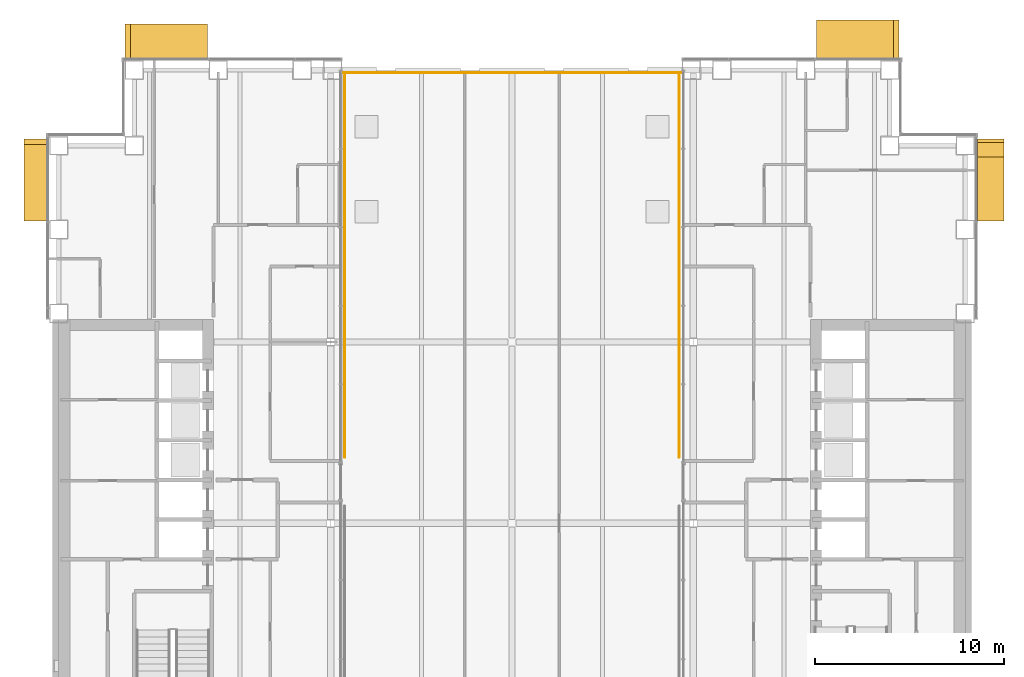
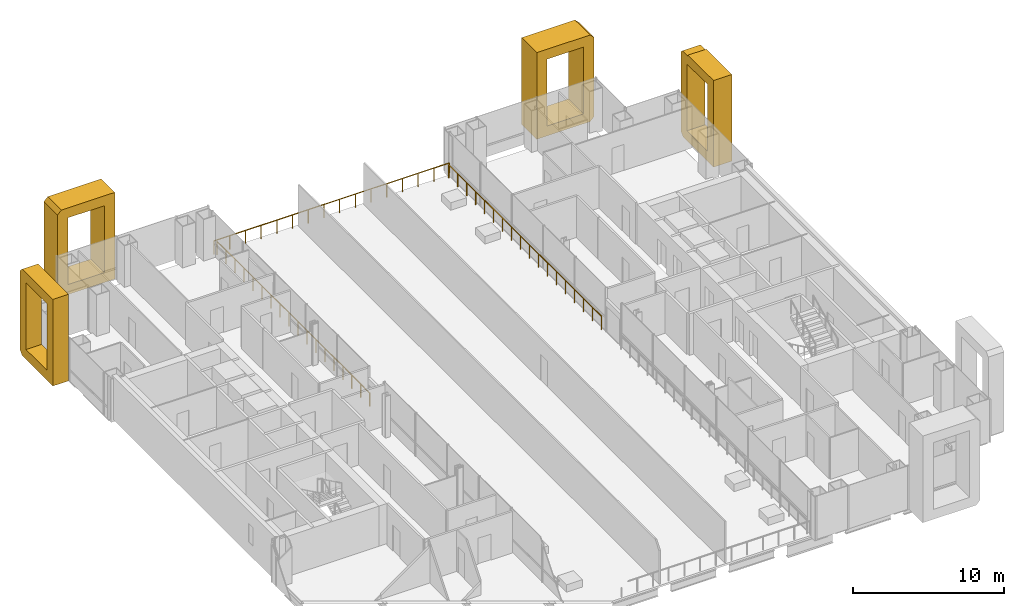
# One storey, part 23 of 24: 4 coverings, 3 railings.
"""IFC4 building model written with IfcOpenShell, lengths in metres."""

from ifc_helpers import new_model, si_unit, direction, frame, origin, origin_2d, place, context, subcontext, project, spatial, polyline, circle, outline, extrude, material, type_object, element, save


model = new_model("IFC4")

# Units and contexts
model_context = context("Model", 3, precision=1e-05, world=origin(), true_north=direction((0.0, 1.0)))
body_context = subcontext(model_context, "Body", "Model", "MODEL_VIEW")
ifc_project = project(units=[si_unit("LENGTHUNIT", "METRE"), si_unit("AREAUNIT", "SQUARE_METRE"), si_unit("VOLUMEUNIT", "CUBIC_METRE"), si_unit("PLANEANGLEUNIT", "RADIAN"), si_unit("MASSUNIT", "GRAM", prefix="KILO")], contexts=[model_context])

# Site, building, storey
site_placement = place(None, origin())
site = spatial("IfcSite", under=ifc_project, at=site_placement, CompositionType="ELEMENT")
building_placement = place(site_placement, origin())
building = spatial("IfcBuilding", under=site, at=building_placement, Name="Cobrizo Arcos Hotel Tower", CompositionType="ELEMENT")
storey_placement = place(building_placement, frame((0.0, 0.0, 60.0)))
storey = spatial("IfcBuildingStorey", under=building, at=storey_placement, Name="L13", CompositionType="ELEMENT", Elevation=60.0)

# Coverings
ifc_material_1 = material(Name="Aluminium 6063-T6 anodised bronze", Category="aluminium")
covering_type_1 = type_object("IfcCoveringType", Name="FIN-F 1200", PredefinedType="CLADDING", material=ifc_material_1)
covering_1_placement = place(storey_placement, frame((-24.64990234375, 20.35009765625, 0.0), z_axis=(-1.0, 0.0, 0.0), x_axis=(0.0, -1.0, 0.0)))
element("IfcCovering", 1, at=covering_1_placement, inside=storey, type_object=covering_type_1, Name="Fin frame 75", PredefinedType="CLADDING", context=body_context, shape_type="SweptSolid", body=[
    extrude(outline(polyline([(0.0, 0.300048828125), (0.300048828125, 0.0), (4.341796875, 0.0), (4.341796875, 7.0), (0.300048828125, 7.0), (0.0, 6.699951171875), (0.0, 0.300048828125)]), holes=[polyline([(3.541748046875, 0.800048828125), (0.800048828125, 0.800048828125), (0.800048828125, 6.199951171875), (3.541748046875, 6.199951171875), (3.541748046875, 0.800048828125)])]), origin(), (0.0, 0.0, 1.0), 1.2001953125),
])
covering_type_2 = type_object("IfcCoveringType", Name="FIN-F 1400", PredefinedType="CLADDING", material=ifc_material_1)
covering_2_placement = place(storey_placement, frame((24.64990234375, 16.00830078125, 0.0), z_axis=(1.0, 0.0, 0.0), x_axis=(0.0, 1.0, 0.0)))
element("IfcCovering", 2, at=covering_2_placement, inside=storey, type_object=covering_type_2, Name="Fin frame 34", PredefinedType="CLADDING", context=body_context, shape_type="SweptSolid", body=[
    extrude(outline(polyline([(4.341796875, 6.699951171875), (4.143798828125, 6.89794921875), (3.3896484375, 6.89794921875), (3.3896484375, 7.0), (0.0, 7.0), (0.0, 0.0), (4.041748046875, 0.0), (4.341796875, 0.300048828125), (4.341796875, 6.699951171875)]), holes=[polyline([(3.541748046875, 0.800048828125), (0.800048828125, 0.800048828125), (0.800048828125, 6.199951171875), (3.541748046875, 6.199951171875), (3.541748046875, 0.800048828125)])]), origin(), (0.0, 0.0, 1.0), 1.400146484375),
])
covering_type_3 = type_object("IfcCoveringType", Name="FIN-F 1800", PredefinedType="CLADDING", material=ifc_material_1)
covering_3_placement = place(storey_placement, frame((-16.125, 24.64990234375, 0.0), z_axis=(0.0, 1.0, 0.0), x_axis=(-1.0, 0.0, 0.0)))
element("IfcCovering", 3, at=covering_3_placement, inside=storey, type_object=covering_type_3, Name="Fin frame 14", PredefinedType="CLADDING", context=body_context, shape_type="SweptSolid", body=[
    extrude(outline(polyline([(0.0, 7.0), (0.0, 0.0), (4.074951171875, 0.0), (4.375, 0.300048828125), (4.375, 6.699951171875), (4.074951171875, 7.0), (0.0, 7.0)]), holes=[polyline([(3.574951171875, 0.800048828125), (0.800048828125, 0.800048828125), (0.800048828125, 6.199951171875), (3.574951171875, 6.199951171875), (3.574951171875, 0.800048828125)])]), origin(), (0.0, 0.0, 1.0), 1.800048828125),
])
covering_type_4 = type_object("IfcCoveringType", Name="FIN-F 2000", PredefinedType="CLADDING", material=ifc_material_1)
covering_4_placement = place(storey_placement, frame((20.5, 24.64990234375, 0.0), z_axis=(0.0, 1.0, 0.0), x_axis=(-1.0, 0.0, 0.0)))
element("IfcCovering", 4, at=covering_4_placement, inside=storey, type_object=covering_type_4, Name="Fin frame 13", PredefinedType="CLADDING", context=body_context, shape_type="SweptSolid", body=[
    extrude(outline(polyline([(0.0, 0.300048828125), (0.300048828125, 0.0), (4.375, 0.0), (4.375, 7.0), (0.300048828125, 7.0), (0.0, 6.699951171875), (0.0, 0.300048828125)]), holes=[polyline([(3.574951171875, 0.800048828125), (0.800048828125, 0.800048828125), (0.800048828125, 6.199951171875), (3.574951171875, 6.199951171875), (3.574951171875, 0.800048828125)])]), origin(), (0.0, 0.0, 1.0), 2.0),
])

# Railings
ifc_material_2 = material(Name="Stainless steel railing", Category="steel")
railing_type = type_object("IfcRailingType", Name="Garden deck guard 1100", PredefinedType="GUARDRAIL", material=ifc_material_2)
railing_1_placement = place(storey_placement, frame((-9.0, 23.85009765625, 0.0)))
element("IfcRailing", 5, at=railing_1_placement, inside=storey, type_object=railing_type, Name="Garden deck north guard", PredefinedType="GUARDRAIL", context=body_context, shape_type="SweptSolid", body=[
    extrude(circle(Radius=0.02392578125, at=origin_2d()), frame((0.0, 0.0, 1.076171875), z_axis=(1.0, 0.0, 0.0), x_axis=(0.0, 1.0, 0.0)), (0.0, 0.0, 1.0), 18.0),
    extrude(circle(Radius=0.02099609375, at=origin_2d()), origin(), (0.0, 0.0, 1.0), 1.052001953125),
    extrude(circle(Radius=0.02099609375, at=origin_2d()), frame((1.199951171875, 0.0, 0.0)), (0.0, 0.0, 1.0), 1.052001953125),
    extrude(circle(Radius=0.02099609375, at=origin_2d()), frame((2.39990234375, 0.0, 0.0)), (0.0, 0.0, 1.0), 1.052001953125),
    extrude(circle(Radius=0.02099609375, at=origin_2d()), frame((3.60009765625, 0.0, 0.0)), (0.0, 0.0, 1.0), 1.052001953125),
    extrude(circle(Radius=0.02099609375, at=origin_2d()), frame((4.800048828125, 0.0, 0.0)), (0.0, 0.0, 1.0), 1.052001953125),
    extrude(circle(Radius=0.02099609375, at=origin_2d()), frame((6.0, 0.0, 0.0)), (0.0, 0.0, 1.0), 1.052001953125),
    extrude(circle(Radius=0.02099609375, at=origin_2d()), frame((7.199951171875, 0.0, 0.0)), (0.0, 0.0, 1.0), 1.052001953125),
    extrude(circle(Radius=0.02099609375, at=origin_2d()), frame((8.39990234375, 0.0, 0.0)), (0.0, 0.0, 1.0), 1.052001953125),
    extrude(circle(Radius=0.02099609375, at=origin_2d()), frame((9.60009765625, 0.0, 0.0)), (0.0, 0.0, 1.0), 1.052001953125),
    extrude(circle(Radius=0.02099609375, at=origin_2d()), frame((10.800048828125, 0.0, 0.0)), (0.0, 0.0, 1.0), 1.052001953125),
    extrude(circle(Radius=0.02099609375, at=origin_2d()), frame((12.0, 0.0, 0.0)), (0.0, 0.0, 1.0), 1.052001953125),
    extrude(circle(Radius=0.02099609375, at=origin_2d()), frame((13.199951171875, 0.0, 0.0)), (0.0, 0.0, 1.0), 1.052001953125),
    extrude(circle(Radius=0.02099609375, at=origin_2d()), frame((14.39990234375, 0.0, 0.0)), (0.0, 0.0, 1.0), 1.052001953125),
    extrude(circle(Radius=0.02099609375, at=origin_2d()), frame((15.60009765625, 0.0, 0.0)), (0.0, 0.0, 1.0), 1.052001953125),
    extrude(circle(Radius=0.02099609375, at=origin_2d()), frame((16.800048828125, 0.0, 0.0)), (0.0, 0.0, 1.0), 1.052001953125),
    extrude(circle(Radius=0.02099609375, at=origin_2d()), frame((18.0, 0.0, 0.0)), (0.0, 0.0, 1.0), 1.052001953125),
])
railing_2_placement = place(storey_placement, frame((8.85009765625, 3.5, 0.0)))
element("IfcRailing", 6, at=railing_2_placement, inside=storey, type_object=railing_type, Name="Garden deck east guard", PredefinedType="GUARDRAIL", context=body_context, shape_type="SweptSolid", body=[
    extrude(circle(Radius=0.02392578125, at=origin_2d()), frame((0.0, 0.0, 1.076171875), z_axis=(0.0, 1.0, 0.0), x_axis=(-1.0, 0.0, 0.0)), (0.0, 0.0, 1.0), 20.199951171875),
    extrude(circle(Radius=0.02099609375, at=origin_2d()), origin(), (0.0, 0.0, 1.0), 1.052001953125),
    extrude(circle(Radius=0.02099609375, at=origin_2d()), frame((0.0, 1.188232421875, 0.0)), (0.0, 0.0, 1.0), 1.052001953125),
    extrude(circle(Radius=0.02099609375, at=origin_2d()), frame((0.0, 2.37646484375, 0.0)), (0.0, 0.0, 1.0), 1.052001953125),
    extrude(circle(Radius=0.02099609375, at=origin_2d()), frame((0.0, 3.564697265625, 0.0)), (0.0, 0.0, 1.0), 1.052001953125),
    extrude(circle(Radius=0.02099609375, at=origin_2d()), frame((0.0, 4.7529296875, 0.0)), (0.0, 0.0, 1.0), 1.052001953125),
    extrude(circle(Radius=0.02099609375, at=origin_2d()), frame((0.0, 5.941162109375, 0.0)), (0.0, 0.0, 1.0), 1.052001953125),
    extrude(circle(Radius=0.02099609375, at=origin_2d()), frame((0.0, 7.12939453125, 0.0)), (0.0, 0.0, 1.0), 1.052001953125),
    extrude(circle(Radius=0.02099609375, at=origin_2d()), frame((0.0, 8.317626953125, 0.0)), (0.0, 0.0, 1.0), 1.052001953125),
    extrude(circle(Radius=0.02099609375, at=origin_2d()), frame((0.0, 9.505859375, 0.0)), (0.0, 0.0, 1.0), 1.052001953125),
    extrude(circle(Radius=0.02099609375, at=origin_2d()), frame((0.0, 10.694091796875, 0.0)), (0.0, 0.0, 1.0), 1.052001953125),
    extrude(circle(Radius=0.02099609375, at=origin_2d()), frame((0.0, 11.88232421875, 0.0)), (0.0, 0.0, 1.0), 1.052001953125),
    extrude(circle(Radius=0.02099609375, at=origin_2d()), frame((0.0, 13.070556640625, 0.0)), (0.0, 0.0, 1.0), 1.052001953125),
    extrude(circle(Radius=0.02099609375, at=origin_2d()), frame((0.0, 14.2587890625, 0.0)), (0.0, 0.0, 1.0), 1.052001953125),
    extrude(circle(Radius=0.02099609375, at=origin_2d()), frame((0.0, 15.447021484375, 0.0)), (0.0, 0.0, 1.0), 1.052001953125),
    extrude(circle(Radius=0.02099609375, at=origin_2d()), frame((0.0, 16.63525390625, 0.0)), (0.0, 0.0, 1.0), 1.052001953125),
    extrude(circle(Radius=0.02099609375, at=origin_2d()), frame((0.0, 17.823486328125, 0.0)), (0.0, 0.0, 1.0), 1.052001953125),
    extrude(circle(Radius=0.02099609375, at=origin_2d()), frame((0.0, 19.01171875, 0.0)), (0.0, 0.0, 1.0), 1.052001953125),
    extrude(circle(Radius=0.02099609375, at=origin_2d()), frame((0.0, 20.199951171875, 0.0)), (0.0, 0.0, 1.0), 1.052001953125),
])
railing_3_placement = place(storey_placement, frame((-8.85009765625, 3.5, 0.0)))
element("IfcRailing", 7, at=railing_3_placement, inside=storey, type_object=railing_type, Name="Garden deck west guard", PredefinedType="GUARDRAIL", context=body_context, shape_type="SweptSolid", body=[
    extrude(circle(Radius=0.02392578125, at=origin_2d()), frame((0.0, 0.0, 1.076171875), z_axis=(0.0, 1.0, 0.0), x_axis=(-1.0, 0.0, 0.0)), (0.0, 0.0, 1.0), 20.199951171875),
    extrude(circle(Radius=0.02099609375, at=origin_2d()), origin(), (0.0, 0.0, 1.0), 1.052001953125),
    extrude(circle(Radius=0.02099609375, at=origin_2d()), frame((0.0, 1.188232421875, 0.0)), (0.0, 0.0, 1.0), 1.052001953125),
    extrude(circle(Radius=0.02099609375, at=origin_2d()), frame((0.0, 2.37646484375, 0.0)), (0.0, 0.0, 1.0), 1.052001953125),
    extrude(circle(Radius=0.02099609375, at=origin_2d()), frame((0.0, 3.564697265625, 0.0)), (0.0, 0.0, 1.0), 1.052001953125),
    extrude(circle(Radius=0.02099609375, at=origin_2d()), frame((0.0, 4.7529296875, 0.0)), (0.0, 0.0, 1.0), 1.052001953125),
    extrude(circle(Radius=0.02099609375, at=origin_2d()), frame((0.0, 5.941162109375, 0.0)), (0.0, 0.0, 1.0), 1.052001953125),
    extrude(circle(Radius=0.02099609375, at=origin_2d()), frame((0.0, 7.12939453125, 0.0)), (0.0, 0.0, 1.0), 1.052001953125),
    extrude(circle(Radius=0.02099609375, at=origin_2d()), frame((0.0, 8.317626953125, 0.0)), (0.0, 0.0, 1.0), 1.052001953125),
    extrude(circle(Radius=0.02099609375, at=origin_2d()), frame((0.0, 9.505859375, 0.0)), (0.0, 0.0, 1.0), 1.052001953125),
    extrude(circle(Radius=0.02099609375, at=origin_2d()), frame((0.0, 10.694091796875, 0.0)), (0.0, 0.0, 1.0), 1.052001953125),
    extrude(circle(Radius=0.02099609375, at=origin_2d()), frame((0.0, 11.88232421875, 0.0)), (0.0, 0.0, 1.0), 1.052001953125),
    extrude(circle(Radius=0.02099609375, at=origin_2d()), frame((0.0, 13.070556640625, 0.0)), (0.0, 0.0, 1.0), 1.052001953125),
    extrude(circle(Radius=0.02099609375, at=origin_2d()), frame((0.0, 14.2587890625, 0.0)), (0.0, 0.0, 1.0), 1.052001953125),
    extrude(circle(Radius=0.02099609375, at=origin_2d()), frame((0.0, 15.447021484375, 0.0)), (0.0, 0.0, 1.0), 1.052001953125),
    extrude(circle(Radius=0.02099609375, at=origin_2d()), frame((0.0, 16.63525390625, 0.0)), (0.0, 0.0, 1.0), 1.052001953125),
    extrude(circle(Radius=0.02099609375, at=origin_2d()), frame((0.0, 17.823486328125, 0.0)), (0.0, 0.0, 1.0), 1.052001953125),
    extrude(circle(Radius=0.02099609375, at=origin_2d()), frame((0.0, 19.01171875, 0.0)), (0.0, 0.0, 1.0), 1.052001953125),
    extrude(circle(Radius=0.02099609375, at=origin_2d()), frame((0.0, 20.199951171875, 0.0)), (0.0, 0.0, 1.0), 1.052001953125),
])

save(model, "model.ifc")
